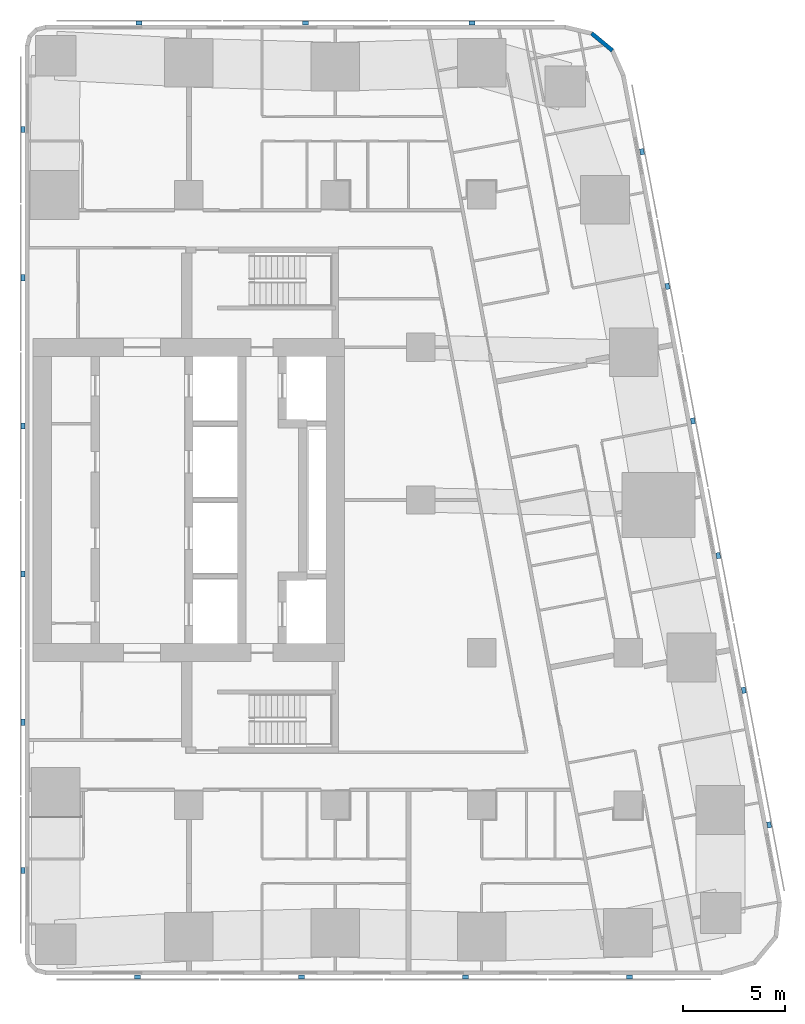
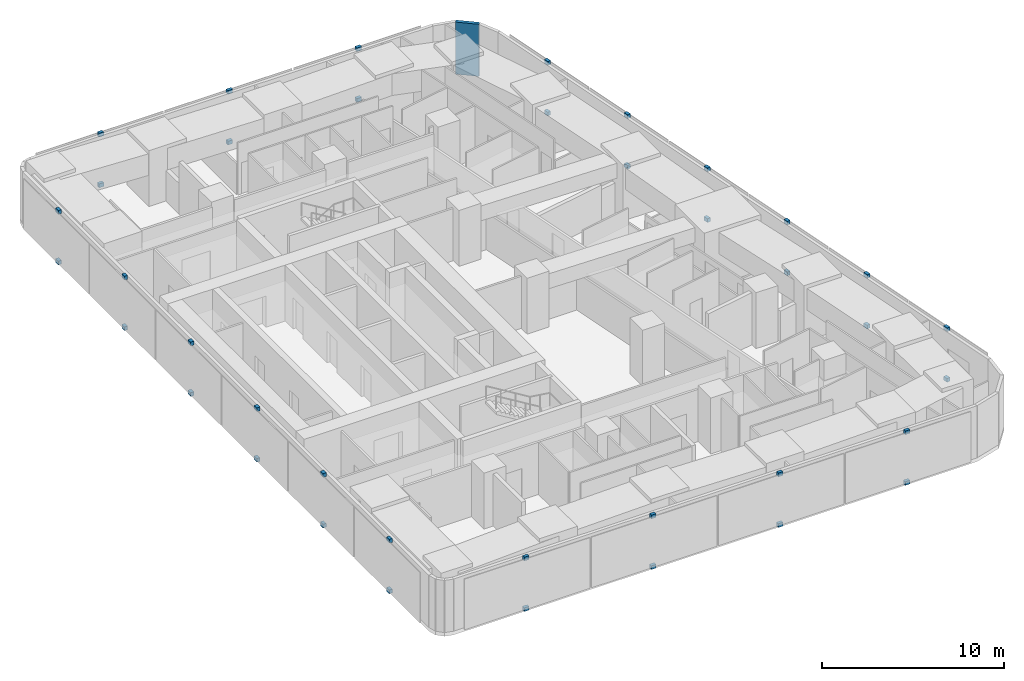
# One storey, part 8 of 10: 38 discrete accessories, 1 wall.
"""IFC4 building model written with IfcOpenShell, lengths in metres."""

import ifcopenshell
import ifcopenshell.guid

model = None  # the IFC model being written
_history = None  # IfcOwnerHistory: only IFC2X3 demands one
_inside = {}  # id of a spatial element -> (the spatial element, [elements in it])
_under = {}  # id of a project, library or spatial element -> (it, [spatial elements below it])
_declared = {}  # id of a project -> (the project, [libraries it declares])
_typed = {}  # id of a type object -> (the type object, [elements of that type])
_made_of = {}  # id of a material, layer set ... -> (it, [elements and type objects made of it])


def new_model(schema):
    """Start an empty IFC model of exactly this schema.

    Asked for "IFC4X3", IfcOpenShell would pick the latest addendum, in which some entities
    have other attributes; the version numbers below select the first issue.
    IFC2X3 requires an IfcOwnerHistory on every rooted entity: one is made here for all.
    """
    global model, _history
    if schema == "IFC4X3":
        model = ifcopenshell.file(schema_version=(4, 3, 0, 0))
    else:
        model = ifcopenshell.file(schema=schema)
    _inside.clear()
    _under.clear()
    _declared.clear()
    _typed.clear()
    _made_of.clear()
    _history = None
    if model.schema == "IFC2X3":
        org = make("IfcOrganization", Name="unknown")
        user = make(
            "IfcPersonAndOrganization",
            ThePerson=make("IfcPerson", FamilyName="unknown"),
            TheOrganization=org,
        )
        app = make(
            "IfcApplication",
            ApplicationDeveloper=org,
            Version="unknown",
            ApplicationFullName="unknown",
            ApplicationIdentifier="unknown",
        )
        _history = make(
            "IfcOwnerHistory",
            OwningUser=user,
            OwningApplication=app,
            ChangeAction="ADDED",
            CreationDate=0,
        )
    return model


def make(cls, **values):
    """One entity of the class cls with the attributes given. An attribute that is None is left unset."""
    return model.create_entity(
        cls, **{name: value for name, value in values.items() if value is not None}
    )


def rooted(cls, **values):
    """An entity with a GlobalId (a new one), such as an element, a storey or a relation."""
    return make(cls, GlobalId=ifcopenshell.guid.new(), OwnerHistory=_history, **values)


def si_unit(unit_type, name, prefix=None):
    """IfcSIUnit, for example si_unit("LENGTHUNIT", "METRE", prefix="MILLI")."""
    return make("IfcSIUnit", UnitType=unit_type, Prefix=prefix, Name=name)


def assignment(units):
    """IfcUnitAssignment: the units of a project."""
    return None if units is None else make("IfcUnitAssignment", Units=units)


def point(xyz):
    """IfcCartesianPoint."""
    return None if xyz is None else make("IfcCartesianPoint", Coordinates=xyz)


def direction(xyz):
    """IfcDirection."""
    return None if xyz is None else make("IfcDirection", DirectionRatios=xyz)


def frame(location, z_axis=None, x_axis=None):
    """IfcAxis2Placement3D, a coordinate frame: its origin and axes. An axis left out is left unset."""
    return make(
        "IfcAxis2Placement3D",
        Location=point(location),
        Axis=direction(z_axis),
        RefDirection=direction(x_axis),
    )


def frame_2d(location, x_axis=None):
    """IfcAxis2Placement2D, a coordinate frame in the plane: its origin and x axis."""
    return make(
        "IfcAxis2Placement2D", Location=point(location), RefDirection=direction(x_axis)
    )


def origin():
    """The frame at (0, 0, 0) with its axes left unset."""
    return frame((0.0, 0.0, 0.0))


def origin_2d():
    """The frame at (0, 0) in the plane with its x axis left unset."""
    return frame_2d((0.0, 0.0))


def place(relative_to, where):
    """IfcLocalPlacement: puts the frame where relative to a parent placement (None: the world)."""
    return make(
        "IfcLocalPlacement", PlacementRelTo=relative_to, RelativePlacement=where
    )


def context(
    kind, dimensions, precision=None, world=None, true_north=None, identifier=None
):
    """IfcGeometricRepresentationContext, for example the 3D "Model" context."""
    return make(
        "IfcGeometricRepresentationContext",
        ContextIdentifier=identifier,
        ContextType=kind,
        CoordinateSpaceDimension=dimensions,
        Precision=precision,
        WorldCoordinateSystem=world,
        TrueNorth=true_north,
    )


def subcontext(parent, identifier, kind, view, scale=None):
    """IfcGeometricRepresentationSubContext, for example "Body" below "Model"."""
    return make(
        "IfcGeometricRepresentationSubContext",
        ContextIdentifier=identifier,
        ContextType=kind,
        ParentContext=parent,
        TargetScale=scale,
        TargetView=view,
    )


def project(units=None, contexts=None):
    """IfcProject with its units and contexts."""
    return rooted(
        "IfcProject",
        Name="project",
        RepresentationContexts=contexts,
        UnitsInContext=assignment(units),
    )


def spatial(cls, under=None, at=None, **own):
    """A site, building, storey or space (cls), placed at a placement, below another one or the project."""
    s = rooted(cls, ObjectPlacement=at, **own)
    if under is not None:
        _under.setdefault(under.id(), (under, []))[1].append(s)
    return s


def profile(cls, at=None, kind="AREA", **sizes):
    """A parametric profile (cls). Its sizes go by their IFC names, for example OverallWidth=200.0."""
    return make(cls, ProfileType=kind, Position=at, **sizes)


def rectangle(**sizes):
    """IfcRectangleProfileDef."""
    return profile("IfcRectangleProfileDef", **sizes)


def extrude(swept, where, along, depth):
    """IfcExtrudedAreaSolid: the profile swept, set in the frame where, extruded along a direction by depth."""
    return make(
        "IfcExtrudedAreaSolid",
        SweptArea=swept,
        Position=where,
        ExtrudedDirection=direction(along),
        Depth=depth,
    )


def shape(context_of_items, identifier, shape_type, items):
    """IfcShapeRepresentation: the items that make up one representation, for example the "Body"."""
    return make(
        "IfcShapeRepresentation",
        ContextOfItems=context_of_items,
        RepresentationIdentifier=identifier,
        RepresentationType=shape_type,
        Items=items,
    )


def material(Name=None, Category=None):
    """IfcMaterial."""
    return make("IfcMaterial", Name=Name, Category=Category)


def layer(
    of_material, thickness, ventilated=None, Name=None, Category=None, Priority=None
):
    """IfcMaterialLayer: one layer of a wall or slab, of a material (None: an air gap)."""
    return make(
        "IfcMaterialLayer",
        Material=of_material,
        LayerThickness=thickness,
        IsVentilated=ventilated,
        Name=Name,
        Category=Category,
        Priority=Priority,
    )


def layer_set(layers, Name=None):
    """IfcMaterialLayerSet."""
    return make("IfcMaterialLayerSet", MaterialLayers=layers, LayerSetName=Name)


def made_of(thing, what):
    """Note that an element or type object is made of a material, layer set ...; save() writes the relation."""
    if what is not None:
        _made_of.setdefault(what.id(), (what, []))[1].append(thing)
    return thing


def type_object(cls, material=None, **own):
    """A type object (cls), such as IfcWallType, which elements share."""
    return made_of(rooted(cls, **own), material)


def element(
    cls,
    number,
    at=None,
    inside=None,
    cuts=None,
    type_object=None,
    material=None,
    context=None,
    identifier="Body",
    shape_type=None,
    held_by="IfcProductDefinitionShape",
    body=None,
    shapes=None,
    **own,
):
    """One element of the class cls, such as IfcWall. Its Tag is "e" and its number.

    at: its placement. inside: the storey or other place that contains it. cuts: it is an
    opening in that element (IfcRelVoidsElement). A single representation is given by context,
    identifier, shape_type and body (its items); several are given by shapes. held_by: the class
    of the entity that holds the representations. save() writes the other relations.
    """
    e = rooted(cls, Tag="e%d" % number, ObjectPlacement=at, **own)
    if body is not None:
        shapes = [shape(context, identifier, shape_type, body)]
    if shapes is not None:
        e.Representation = make(held_by, Representations=shapes)
    if inside is not None:
        _inside.setdefault(inside.id(), (inside, []))[1].append(e)
    if cuts is not None:
        rooted(
            "IfcRelVoidsElement", RelatingBuildingElement=cuts, RelatedOpeningElement=e
        )
    if type_object is not None:
        _typed.setdefault(type_object.id(), (type_object, []))[1].append(e)
    return made_of(e, material)


def aggregate(whole, parts):
    """IfcRelAggregates: a whole, such as a stair, and the parts it consists of."""
    return rooted("IfcRelAggregates", RelatingObject=whole, RelatedObjects=parts)


def save(model, path):
    """Write the relations noted so far, then the file.

    IfcRelAggregates (storeys below a building ...), IfcRelContainedInSpatialStructure (elements
    in a storey), IfcRelDefinesByType, IfcRelAssociatesMaterial and IfcRelDeclares: one each for
    every whole, place, type object, material and project.
    """
    for whole, parts in _under.values():
        aggregate(whole, parts)
    for where, things in _inside.values():
        rooted(
            "IfcRelContainedInSpatialStructure",
            RelatedElements=things,
            RelatingStructure=where,
        )
    for kind, things in _typed.values():
        rooted("IfcRelDefinesByType", RelatedObjects=things, RelatingType=kind)
    for what, things in _made_of.values():
        rooted("IfcRelAssociatesMaterial", RelatedObjects=things, RelatingMaterial=what)
    for by, libraries in _declared.values():
        rooted("IfcRelDeclares", RelatingContext=by, RelatedDefinitions=libraries)
    model.write(path)


model = new_model("IFC4")

# Units and contexts
model_context = context("Model", 3, precision=1e-05, world=origin(), true_north=direction((0.0, 1.0)))
body_context = subcontext(model_context, "Body", "Model", "MODEL_VIEW")
ifc_project = project(units=[si_unit("LENGTHUNIT", "METRE"), si_unit("AREAUNIT", "SQUARE_METRE"), si_unit("VOLUMEUNIT", "CUBIC_METRE"), si_unit("PLANEANGLEUNIT", "RADIAN"), si_unit("MASSUNIT", "GRAM", prefix="KILO")], contexts=[model_context])

# Site, building, storey
site_placement = place(None, origin())
site = spatial("IfcSite", under=ifc_project, at=site_placement, CompositionType="ELEMENT")
building_placement = place(site_placement, origin())
building = spatial("IfcBuilding", under=site, at=building_placement, Name="Sheger Commons Tower", CompositionType="ELEMENT")
storey_placement = place(building_placement, frame((0.0, 0.0, 238.699951171875)))
storey = spatial("IfcBuildingStorey", under=building, at=storey_placement, Name="L61", CompositionType="ELEMENT", Elevation=238.699951171875)

# Wall
ifc_material_1 = material(Name="Rendered concrete block masonry, dark grey", Category="masonry")
ifc_layer = layer(ifc_material_1, 0.199951171875)
ifc_layer_set = layer_set([ifc_layer], Name="FACADE WALL 200")
wall_type = type_object("IfcWallType", Name="FACADE WALL 200", PredefinedType="SOLIDWALL", material=ifc_layer_set)
wall_placement = place(storey_placement, frame((42.427001953125, 44.59912109375, 0.0), z_axis=(0.0, 0.0, 1.0), x_axis=(-0.770091412544, 0.637933551655, 0.0)))
element("IfcWall", 1, at=wall_placement, inside=storey, type_object=wall_type, Name="Facade wall L61", PredefinedType="SOLIDWALL", context=body_context, shape_type="SweptSolid", body=[
    extrude(rectangle(XDim=1.324462890625, YDim=0.199951171875, at=frame_2d((0.662109375, 0.0))), origin(), (0.0, 0.0, 1.0), 3.5),
])

# Discrete accessories
ifc_material_2 = material(Name="Black painted steel bracket", Category="steel")
discrete_accessory_type = type_object("IfcDiscreteAccessoryType", Name="SCREEN BRACKET 300x200x250", PredefinedType="BRACKET", material=ifc_material_2)
for number, where, z_axis, x_axis, name in (
    (2, (19.08203125, -0.949951171875, -0.099853515625), (0.0, 0.0, 1.0), (1.0, 0.0, 0.0), "Solar screen foot bracket"),
    (3, (19.08203125, -0.949951171875, 3.300048828125), (0.0, 0.0, 1.0), (1.0, 0.0, 0.0), "Solar screen head bracket"),
    (4, (27.14599609375, -0.949951171875, -0.099853515625), (0.0, 0.0, 1.0), (1.0, 0.0, 0.0), "Solar screen foot bracket"),
    (5, (27.14599609375, -0.949951171875, 3.300048828125), (0.0, 0.0, 1.0), (1.0, 0.0, 0.0), "Solar screen head bracket"),
    (6, (35.2099609375, -0.949951171875, -0.099853515625), (0.0, 0.0, 1.0), (1.0, 0.0, 0.0), "Solar screen foot bracket"),
    (7, (35.2099609375, -0.949951171875, 3.300048828125), (0.0, 0.0, 1.0), (1.0, 0.0, 0.0), "Solar screen head bracket"),
    (8, (43.27392578125, -0.949951171875, -0.099853515625), (0.0, 0.0, 1.0), (1.0, 0.0, 0.0), "Solar screen foot bracket"),
    (9, (43.27392578125, -0.949951171875, 3.300048828125), (0.0, 0.0, 1.0), (1.0, 0.0, 0.0), "Solar screen head bracket"),
    (10, (50.134033203125, 6.527099609375, -0.099853515625), (0.0, 0.0, 1.0), (-0.185615165645, 0.982622516678, 0.0), "Solar screen foot bracket"),
    (11, (50.134033203125, 6.527099609375, 3.300048828125), (0.0, 0.0, 1.0), (-0.185615165645, 0.982622516678, 0.0), "Solar screen head bracket"),
    (12, (48.884033203125, 13.14599609375, -0.099853515625), (0.0, 0.0, 1.0), (-0.185615165645, 0.982622516678, 0.0), "Solar screen foot bracket"),
    (13, (48.884033203125, 13.14599609375, 3.300048828125), (0.0, 0.0, 1.0), (-0.185615165645, 0.982622516678, 0.0), "Solar screen head bracket"),
    (14, (47.633056640625, 19.76611328125, -0.099853515625), (0.0, 0.0, 1.0), (-0.185615165645, 0.982622516678, 0.0), "Solar screen foot bracket"),
    (15, (47.633056640625, 19.76611328125, 3.300048828125), (0.0, 0.0, 1.0), (-0.185615165645, 0.982622516678, 0.0), "Solar screen head bracket"),
    (16, (46.383056640625, 26.385009765625, -0.099853515625), (0.0, 0.0, 1.0), (-0.185615165645, 0.982622516678, 0.0), "Solar screen foot bracket"),
    (17, (46.383056640625, 26.385009765625, 3.300048828125), (0.0, 0.0, 1.0), (-0.185615165645, 0.982622516678, 0.0), "Solar screen head bracket"),
    (18, (45.133056640625, 33.0048828125, -0.099853515625), (0.0, 0.0, 1.0), (-0.185615165645, 0.982622516678, 0.0), "Solar screen foot bracket"),
    (19, (45.133056640625, 33.0048828125, 3.300048828125), (0.0, 0.0, 1.0), (-0.185615165645, 0.982622516678, 0.0), "Solar screen head bracket"),
    (20, (43.882080078125, 39.6240234375, -0.099853515625), (0.0, 0.0, 1.0), (-0.185615165645, 0.982622516678, 0.0), "Solar screen foot bracket"),
    (21, (43.882080078125, 39.6240234375, 3.300048828125), (0.0, 0.0, 1.0), (-0.185615165645, 0.982622516678, 0.0), "Solar screen head bracket"),
    (22, (35.52294921875, 45.949951171875, -0.099853515625), (0.0, 0.0, 1.0), (-1.0, 0.0, 0.0), "Solar screen foot bracket"),
    (23, (35.52294921875, 45.949951171875, 3.300048828125), (0.0, 0.0, 1.0), (-1.0, 0.0, 0.0), "Solar screen head bracket"),
    (24, (27.333984375, 45.949951171875, -0.099853515625), (0.0, 0.0, 1.0), (-1.0, 0.0, 0.0), "Solar screen foot bracket"),
    (25, (27.333984375, 45.949951171875, 3.300048828125), (0.0, 0.0, 1.0), (-1.0, 0.0, 0.0), "Solar screen head bracket"),
    (26, (19.14501953125, 45.949951171875, -0.099853515625), (0.0, 0.0, 1.0), (-1.0, 0.0, 0.0), "Solar screen foot bracket"),
    (27, (19.14501953125, 45.949951171875, 3.300048828125), (0.0, 0.0, 1.0), (-1.0, 0.0, 0.0), "Solar screen head bracket"),
    (28, (13.449951171875, 40.7080078125, -0.099853515625), (0.0, 0.0, 1.0), (0.0, -1.0, 0.0), "Solar screen foot bracket"),
    (29, (13.449951171875, 40.7080078125, 3.300048828125), (0.0, 0.0, 1.0), (0.0, -1.0, 0.0), "Solar screen head bracket"),
    (30, (13.449951171875, 33.425048828125, -0.099853515625), (0.0, 0.0, 1.0), (0.0, -1.0, 0.0), "Solar screen foot bracket"),
    (31, (13.449951171875, 33.425048828125, 3.300048828125), (0.0, 0.0, 1.0), (0.0, -1.0, 0.0), "Solar screen head bracket"),
    (32, (13.449951171875, 26.14208984375, -0.099853515625), (0.0, 0.0, 1.0), (0.0, -1.0, 0.0), "Solar screen foot bracket"),
    (33, (13.449951171875, 26.14208984375, 3.300048828125), (0.0, 0.0, 1.0), (0.0, -1.0, 0.0), "Solar screen head bracket"),
    (34, (13.449951171875, 18.85791015625, -0.099853515625), (0.0, 0.0, 1.0), (0.0, -1.0, 0.0), "Solar screen foot bracket"),
    (35, (13.449951171875, 18.85791015625, 3.300048828125), (0.0, 0.0, 1.0), (0.0, -1.0, 0.0), "Solar screen head bracket"),
    (36, (13.449951171875, 11.574951171875, -0.099853515625), (0.0, 0.0, 1.0), (0.0, -1.0, 0.0), "Solar screen foot bracket"),
    (37, (13.449951171875, 11.574951171875, 3.300048828125), (0.0, 0.0, 1.0), (0.0, -1.0, 0.0), "Solar screen head bracket"),
    (38, (13.449951171875, 4.2919921875, -0.099853515625), (0.0, 0.0, 1.0), (0.0, -1.0, 0.0), "Solar screen foot bracket"),
    (39, (13.449951171875, 4.2919921875, 3.300048828125), (0.0, 0.0, 1.0), (0.0, -1.0, 0.0), "Solar screen head bracket"),
):
    element("IfcDiscreteAccessory", number, at=place(storey_placement, frame(where, z_axis=z_axis, x_axis=x_axis)), inside=storey, type_object=discrete_accessory_type, Name=name, PredefinedType="BRACKET", context=body_context, shape_type="SweptSolid", body=[
        extrude(rectangle(XDim=0.300048828125, YDim=0.199951171875, at=origin_2d()), origin(), (0.0, 0.0, 1.0), 0.25),
    ])

save(model, "model.ifc")
